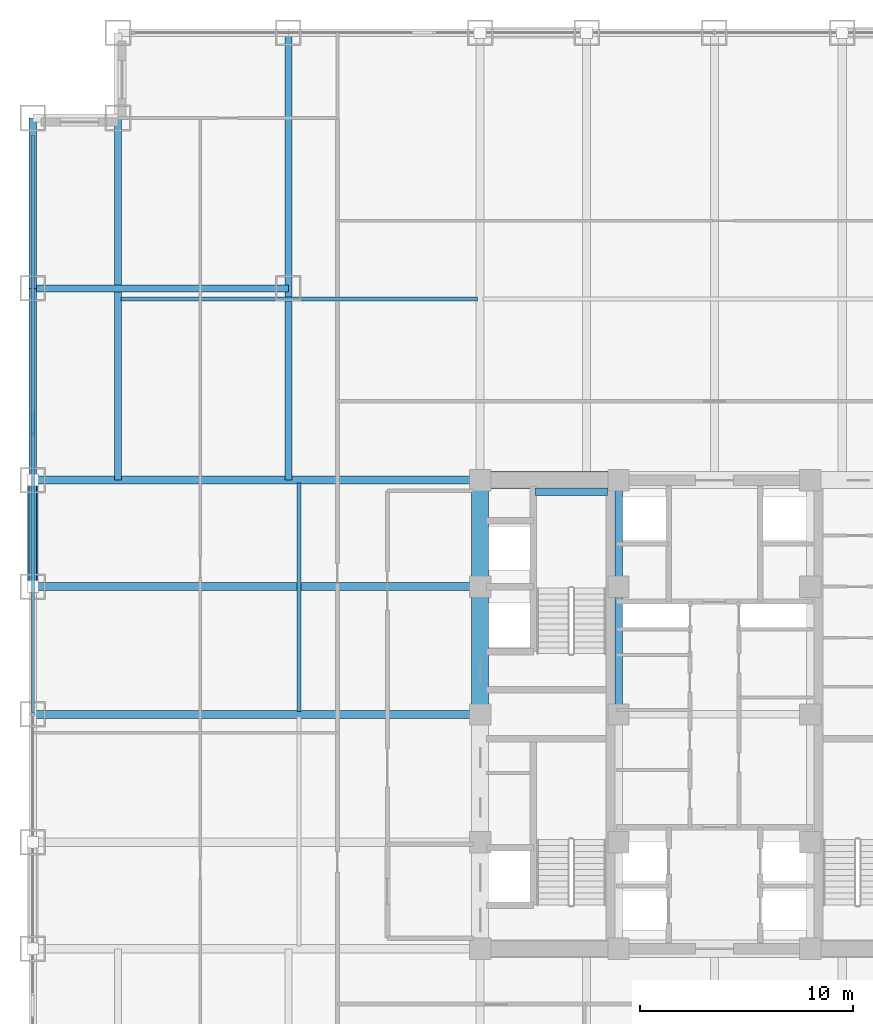
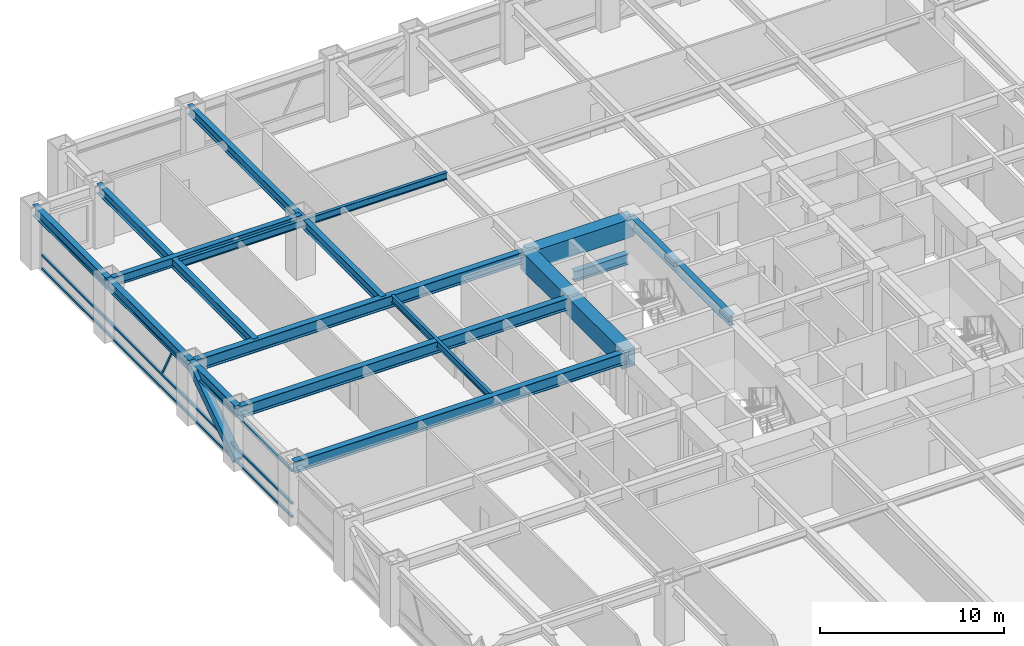
# One storey, part 9 of 27: 17 beams, 5 members, 1 element without a shape of its own.
"""IFC4 building model written with IfcOpenShell, lengths in metres."""

from ifc_helpers import new_model, si_unit, direction, frame, origin, origin_2d, place, context, subcontext, project, spatial, rectangle, hollow_rectangle, i_section, extrude, source, transform, mapped, material, material_profile, profile_set, type_object, element, aggregate, save


model = new_model("IFC4")

# Units and contexts
model_context = context("Model", 3, precision=1e-05, world=origin(), true_north=direction((0.0, 1.0)))
body_context = subcontext(model_context, "Body", "Model", "MODEL_VIEW")
ifc_project = project(units=[si_unit("LENGTHUNIT", "METRE"), si_unit("AREAUNIT", "SQUARE_METRE"), si_unit("VOLUMEUNIT", "CUBIC_METRE"), si_unit("PLANEANGLEUNIT", "RADIAN"), si_unit("MASSUNIT", "GRAM", prefix="KILO")], contexts=[model_context])

# Site, building, storey
site_placement = place(None, origin())
site = spatial("IfcSite", under=ifc_project, at=site_placement, CompositionType="ELEMENT")
building_placement = place(site_placement, origin())
building = spatial("IfcBuilding", under=site, at=building_placement, Name="Khorayat Bourse Tower", CompositionType="ELEMENT")
storey_placement = place(building_placement, frame((0.0, 0.0, 107.800048828125)))
storey = spatial("IfcBuildingStorey", under=building, at=storey_placement, Name="L24", CompositionType="ELEMENT", Elevation=107.800048828125)

# Beams
ifc_material_1 = material(Name="Concrete C72/90", Category="concrete")
ifc_material_profile_1 = material_profile(ifc_material_1, rectangle(XDim=0.800048828125, YDim=1.199951171875, at=origin_2d()), Name="RC 800x1200")
ifc_profile_set_1 = profile_set([ifc_material_profile_1], Name="Concrete C72/90")
beam_type_1 = type_object("IfcBeamType", Name="BM-COUP-1200", PredefinedType="BEAM", material=ifc_profile_set_1)
shared_shape_1 = source(origin(), body_context, "Body", "SweptSolid", [
    extrude(rectangle(XDim=0.800048828125, YDim=1.199951171875, at=origin_2d()), origin(), (0.0, 0.0, 1.0), 5.0),
])
beam_1_placement = place(storey_placement, frame((-11.0, 6.0, 3.239990234375), z_axis=(0.0, 1.0, 0.0), x_axis=(-1.0, 0.0, 0.0)))
element("IfcBeam", 1, at=beam_1_placement, inside=storey, type_object=beam_type_1, Name="L24 BM-COUP-1200 BM-L24-CRX-04", PredefinedType="BEAM", context=body_context, shape_type="MappedRepresentation", body=[
    mapped(shared_shape_1, transform((0.0, 0.0, 0.0), scale=1.0)),
])
shared_shape_2 = source(origin(), body_context, "Body", "SweptSolid", [
    extrude(rectangle(XDim=0.800048828125, YDim=1.199951171875, at=origin_2d()), origin(), (0.0, 0.0, 1.0), 6.0),
])
beam_2_placement = place(storey_placement, frame((-11.0, 0.0, 3.239990234375), z_axis=(0.0, 1.0, 0.0), x_axis=(-1.0, 0.0, 0.0)))
element("IfcBeam", 2, at=beam_2_placement, inside=storey, type_object=beam_type_1, Name="L24 BM-COUP-1200 BM-L24-CRX-03", PredefinedType="BEAM", context=body_context, shape_type="MappedRepresentation", body=[
    mapped(shared_shape_2, transform((0.0, 0.0, 0.0), scale=1.0)),
])
ifc_material_2 = material(Name="Steel ASTM A992 Grade 50", Category="steel")
ifc_material_profile_2 = material_profile(ifc_material_2, i_section(OverallWidth=0.35498046875, OverallDepth=0.695068359375, WebThickness=0.015380859375, FlangeThickness=0.02490234375, FilletRadius=0.01806640625, at=origin_2d()), Name="W690X217")
ifc_profile_set_2 = profile_set([ifc_material_profile_2], Name="Steel ASTM A992 Grade 50")
beam_type_2 = type_object("IfcBeamType", Name="BM-GIRD-690", PredefinedType="BEAM", material=ifc_profile_set_2)
shared_shape_3 = source(origin(), body_context, "Body", "SweptSolid", [
    extrude(i_section(OverallWidth=0.35498046875, OverallDepth=0.695068359375, WebThickness=0.015380859375, FlangeThickness=0.02490234375, FilletRadius=0.01806640625, at=origin_2d()), origin(), (0.0, 0.0, 1.0), 5.0),
])
beam_3_placement = place(storey_placement, frame((-4.5, 6.0, 3.492431640625), z_axis=(0.0, 1.0, 0.0), x_axis=(-1.0, 0.0, 0.0)))
element("IfcBeam", 3, at=beam_3_placement, inside=storey, type_object=beam_type_2, Name="L24 BM-GIRD-690 BM-L24-CRX-08", PredefinedType="BEAM", context=body_context, shape_type="MappedRepresentation", body=[
    mapped(shared_shape_3, transform((0.0, 0.0, 0.0), scale=1.0)),
])
shared_shape_4 = source(origin(), body_context, "Body", "SweptSolid", [
    extrude(i_section(OverallWidth=0.35498046875, OverallDepth=0.695068359375, WebThickness=0.015380859375, FlangeThickness=0.02490234375, FilletRadius=0.01806640625, at=origin_2d()), origin(), (0.0, 0.0, 1.0), 6.0),
])
beam_4_placement = place(storey_placement, frame((-4.5, 0.0, 3.492431640625), z_axis=(0.0, 1.0, 0.0), x_axis=(-1.0, 0.0, 0.0)))
element("IfcBeam", 4, at=beam_4_placement, inside=storey, type_object=beam_type_2, Name="L24 BM-GIRD-690 BM-L24-CRX-07", PredefinedType="BEAM", context=body_context, shape_type="MappedRepresentation", body=[
    mapped(shared_shape_4, transform((0.0, 0.0, 0.0), scale=1.0)),
])
shared_shape_5 = source(origin(), body_context, "Body", "SweptSolid", [
    extrude(rectangle(XDim=0.800048828125, YDim=1.199951171875, at=origin_2d()), origin(), (0.0, 0.0, 1.0), 6.5),
])
beam_5_placement = place(storey_placement, frame((-11.0, 11.0, 3.239990234375), z_axis=(1.0, 0.0, 0.0), x_axis=(0.0, 1.0, 0.0)))
element("IfcBeam", 5, at=beam_5_placement, inside=storey, type_object=beam_type_1, Name="L24 BM-COUP-1200 BM-L24-CRY-20", PredefinedType="BEAM", context=body_context, shape_type="MappedRepresentation", body=[
    mapped(shared_shape_5, transform((0.0, 0.0, 0.0), scale=1.0)),
])
shared_shape_6 = source(origin(), body_context, "Body", "SweptSolid", [
    extrude(i_section(OverallWidth=0.35498046875, OverallDepth=0.695068359375, WebThickness=0.015380859375, FlangeThickness=0.02490234375, FilletRadius=0.01806640625, at=origin_2d()), origin(), (0.0, 0.0, 1.0), 3.39990234375),
])
beam_6_placement = place(storey_placement, frame((-8.419921875, 10.449951171875, 1.50244140625), z_axis=(1.0, 0.0, 0.0), x_axis=(0.0, 1.0, 0.0)))
element("IfcBeam", 6, at=beam_6_placement, inside=storey, type_object=beam_type_2, Name="L24 BM-GIRD-690 BM-L24-ST2L", PredefinedType="BEAM", context=body_context, shape_type="MappedRepresentation", body=[
    mapped(shared_shape_6, transform((0.0, 0.0, 0.0), scale=1.0)),
])
ifc_material_profile_3 = material_profile(ifc_material_2, i_section(OverallWidth=0.35498046875, OverallDepth=0.695068359375, WebThickness=0.015380859375, FlangeThickness=0.02490234375, FilletRadius=0.01806640625, at=origin_2d()), Name="W690X217")
ifc_profile_set_3 = profile_set([ifc_material_profile_3], Name="Steel ASTM A992 Grade 50")
beam_type_3 = type_object("IfcBeamType", Name="BM-SPAN-690", PredefinedType="SPANDREL", material=ifc_profile_set_3)
shared_shape_7 = source(origin(), body_context, "Body", "SweptSolid", [
    extrude(i_section(OverallWidth=0.35498046875, OverallDepth=0.695068359375, WebThickness=0.015380859375, FlangeThickness=0.02490234375, FilletRadius=0.01806640625, at=origin_2d()), origin(), (0.0, 0.0, 1.0), 9.0),
])
beam_7_placement = place(storey_placement, frame((-32.0, 11.0, 3.492431640625), z_axis=(0.0, 1.0, 0.0), x_axis=(-1.0, 0.0, 0.0)))
element("IfcBeam", 7, at=beam_7_placement, inside=storey, type_object=beam_type_3, Name="L24 BM-SPAN-690 BM-L24-SPN-055", PredefinedType="SPANDREL", context=body_context, shape_type="MappedRepresentation", body=[
    mapped(shared_shape_7, transform((0.0, 0.0, 0.0), scale=1.0)),
])
shared_shape_8 = source(origin(), body_context, "Body", "SweptSolid", [
    extrude(i_section(OverallWidth=0.35498046875, OverallDepth=0.695068359375, WebThickness=0.015380859375, FlangeThickness=0.02490234375, FilletRadius=0.01806640625, at=origin_2d()), origin(), (0.0, 0.0, 1.0), 5.0),
])
beam_8_placement = place(storey_placement, frame((-32.0, 6.0, 3.492431640625), z_axis=(0.0, 1.0, 0.0), x_axis=(-1.0, 0.0, 0.0)))
element("IfcBeam", 8, at=beam_8_placement, inside=storey, type_object=beam_type_3, Name="L24 BM-SPAN-690 BM-L24-SPN-056", PredefinedType="SPANDREL", context=body_context, shape_type="MappedRepresentation", body=[
    mapped(shared_shape_8, transform((0.0, 0.0, 0.0), scale=1.0)),
])
ifc_material_profile_4 = material_profile(ifc_material_2, i_section(OverallWidth=0.324951171875, OverallDepth=0.615966796875, WebThickness=0.013916015625, FlangeThickness=0.021484375, FilletRadius=0.01611328125, at=origin_2d()), Name="W610X174")
ifc_profile_set_4 = profile_set([ifc_material_profile_4], Name="Steel ASTM A992 Grade 50")
beam_type_4 = type_object("IfcBeamType", Name="BM-GIRD-610", PredefinedType="BEAM", material=ifc_profile_set_4)
shared_shape_9 = source(origin(), body_context, "Body", "SweptSolid", [
    extrude(i_section(OverallWidth=0.324951171875, OverallDepth=0.615966796875, WebThickness=0.013916015625, FlangeThickness=0.021484375, FilletRadius=0.01611328125, at=origin_2d()), origin(), (0.0, 0.0, 1.0), 21.0),
])
beam_9_placement = place(storey_placement, frame((-20.0, 11.0, 3.531982421875), z_axis=(0.0, 1.0, 0.0), x_axis=(-1.0, 0.0, 0.0)))
element("IfcBeam", 9, at=beam_9_placement, inside=storey, type_object=beam_type_4, Name="L24 BM-GIRD-610 BM-L24-CNRY-085", PredefinedType="BEAM", context=body_context, shape_type="MappedRepresentation", body=[
    mapped(shared_shape_9, transform((0.0, 0.0, 0.0), scale=1.0)),
])
shared_shape_10 = source(origin(), body_context, "Body", "SweptSolid", [
    extrude(i_section(OverallWidth=0.324951171875, OverallDepth=0.615966796875, WebThickness=0.013916015625, FlangeThickness=0.021484375, FilletRadius=0.01611328125, at=origin_2d()), origin(), (0.0, 0.0, 1.0), 12.0),
])
beam_10_placement = place(storey_placement, frame((-32.0, 20.0, 3.531982421875), z_axis=(1.0, 0.0, 0.0), x_axis=(0.0, 1.0, 0.0)))
element("IfcBeam", 10, at=beam_10_placement, inside=storey, type_object=beam_type_4, Name="L24 BM-GIRD-610 BM-L24-CNRX-095", PredefinedType="BEAM", context=body_context, shape_type="MappedRepresentation", body=[
    mapped(shared_shape_10, transform((0.0, 0.0, 0.0), scale=1.0)),
])
ifc_material_profile_5 = material_profile(ifc_material_2, i_section(OverallWidth=0.194091796875, OverallDepth=0.468994140625, WebThickness=0.0126953125, FlangeThickness=0.0205078125, FilletRadius=0.012939453125, at=origin_2d()), Name="W460X106")
ifc_profile_set_5 = profile_set([ifc_material_profile_5], Name="Steel ASTM A992 Grade 50")
beam_type_5 = type_object("IfcBeamType", Name="BM-JOIST-460", PredefinedType="JOIST", material=ifc_profile_set_5)
shared_shape_11 = source(origin(), body_context, "Body", "SweptSolid", [
    extrude(i_section(OverallWidth=0.194091796875, OverallDepth=0.468994140625, WebThickness=0.0126953125, FlangeThickness=0.0205078125, FilletRadius=0.012939453125, at=origin_2d()), origin(), (0.0, 0.0, 1.0), 10.740234375),
])
beam_11_placement = place(storey_placement, frame((-19.5, 0.1298828125, 3.60546875), z_axis=(0.0, 1.0, 0.0), x_axis=(-1.0, 0.0, 0.0)))
element("IfcBeam", 11, at=beam_11_placement, inside=storey, type_object=beam_type_5, Name="L24 BM-JOIST-460 BM-L24-JSTY-103", PredefinedType="JOIST", context=body_context, shape_type="MappedRepresentation", body=[
    mapped(shared_shape_11, transform((0.0, 0.0, 0.0), scale=1.0)),
])
shared_shape_12 = source(origin(), body_context, "Body", "SweptSolid", [
    extrude(i_section(OverallWidth=0.35498046875, OverallDepth=0.695068359375, WebThickness=0.015380859375, FlangeThickness=0.02490234375, FilletRadius=0.01806640625, at=origin_2d()), origin(), (0.0, 0.0, 1.0), 8.0),
])
beam_12_placement = place(storey_placement, frame((-32.0, 20.0, 3.492431640625), z_axis=(0.0, 1.0, 0.0), x_axis=(-1.0, 0.0, 0.0)))
element("IfcBeam", 12, at=beam_12_placement, inside=storey, type_object=beam_type_3, Name="L24 BM-SPAN-690 BM-L24-SPN-054", PredefinedType="SPANDREL", context=body_context, shape_type="MappedRepresentation", body=[
    mapped(shared_shape_12, transform((0.0, 0.0, 0.0), scale=1.0)),
])
ifc_material_profile_6 = material_profile(ifc_material_2, i_section(OverallWidth=0.381103515625, OverallDepth=0.77294921875, WebThickness=0.0166015625, FlangeThickness=0.027587890625, FilletRadius=0.01806640625, at=origin_2d()), Name="W760X257")
ifc_profile_set_6 = profile_set([ifc_material_profile_6], Name="Steel ASTM A992 Grade 50")
beam_type_6 = type_object("IfcBeamType", Name="BM-GIRD-760", PredefinedType="BEAM", material=ifc_profile_set_6)
shared_shape_13 = source(origin(), body_context, "Body", "SweptSolid", [
    extrude(i_section(OverallWidth=0.381103515625, OverallDepth=0.77294921875, WebThickness=0.0166015625, FlangeThickness=0.027587890625, FilletRadius=0.01806640625, at=origin_2d()), origin(), (0.0, 0.0, 1.0), 21.0),
])
for number, where, z_axis, x_axis, name in (
    (13, (-32.0, 0.0, 3.453369140625), (1.0, 0.0, 0.0), (0.0, 1.0, 0.0), "L24 BM-GIRD-760 BM-L24-RADX-079"),
    (14, (-32.0, 6.0, 3.453369140625), (1.0, 0.0, 0.0), (0.0, 1.0, 0.0), "L24 BM-GIRD-760 BM-L24-RADX-081"),
    (15, (-32.0, 11.0, 3.453369140625), (1.0, 0.0, 0.0), (0.0, 1.0, 0.0), "L24 BM-GIRD-760 BM-L24-RADX-083"),
):
    element("IfcBeam", number, at=place(storey_placement, frame(where, z_axis=z_axis, x_axis=x_axis)), inside=storey, type_object=beam_type_6, Name=name, PredefinedType="BEAM", context=body_context, shape_type="MappedRepresentation", body=[
        mapped(shared_shape_13, transform((0.0, 0.0, 0.0), scale=1.0)),
    ])
shared_shape_14 = source(origin(), body_context, "Body", "SweptSolid", [
    extrude(i_section(OverallWidth=0.324951171875, OverallDepth=0.615966796875, WebThickness=0.013916015625, FlangeThickness=0.021484375, FilletRadius=0.01611328125, at=origin_2d()), origin(), (0.0, 0.0, 1.0), 17.0),
])
beam_13_placement = place(storey_placement, frame((-28.0, 11.0, 3.531982421875), z_axis=(0.0, 1.0, 0.0), x_axis=(-1.0, 0.0, 0.0)))
element("IfcBeam", 16, at=beam_13_placement, inside=storey, type_object=beam_type_4, Name="L24 BM-GIRD-610 BM-L24-CNRY-089", PredefinedType="BEAM", context=body_context, shape_type="MappedRepresentation", body=[
    mapped(shared_shape_14, transform((0.0, 0.0, 0.0), scale=1.0)),
])
shared_shape_15 = source(origin(), body_context, "Body", "SweptSolid", [
    extrude(i_section(OverallWidth=0.194091796875, OverallDepth=0.468994140625, WebThickness=0.0126953125, FlangeThickness=0.0205078125, FilletRadius=0.012939453125, at=origin_2d()), origin(), (0.0, 0.0, 1.0), 16.740234375),
])
beam_14_placement = place(storey_placement, frame((-27.8701171875, 19.5, 3.60546875), z_axis=(1.0, 0.0, 0.0), x_axis=(0.0, 1.0, 0.0)))
element("IfcBeam", 17, at=beam_14_placement, inside=storey, type_object=beam_type_5, Name="L24 BM-JOIST-460 BM-L24-JSTX-099", PredefinedType="JOIST", context=body_context, shape_type="MappedRepresentation", body=[
    mapped(shared_shape_15, transform((0.0, 0.0, 0.0), scale=1.0)),
])

# Member
ifc_material_3 = material(Name="Steel EN 10025-4 S460M", Category="steel")
ifc_material_profile_7 = material_profile(ifc_material_3, hollow_rectangle(XDim=0.5, YDim=0.5, WallThickness=0.028076171875, at=origin_2d()), Name="HSS 500x500x28")
ifc_profile_set_7 = profile_set([ifc_material_profile_7], Name="Steel EN 10025-4 S460M")
member_type_1 = type_object("IfcMemberType", Name="MBR-TUBE-500", PredefinedType="BRACE", material=ifc_profile_set_7)
shared_shape_16 = source(origin(), body_context, "Body", "SweptSolid", [
    extrude(hollow_rectangle(XDim=0.5, YDim=0.5, WallThickness=0.028076171875, at=origin_2d()), origin(), (0.0, 0.0, 1.0), 6.012939453125),
])
member_1_placement = place(storey_placement, frame((-32.0, 6.0, 0.25), z_axis=(0.0, 0.831550226979, 0.555449565677), x_axis=(-1.0, 0.0, 0.0)))
element("IfcMember", 18, at=member_1_placement, inside=storey, type_object=member_type_1, Name="L24 Perimeter Tube Brace 06", PredefinedType="BRACE", context=body_context, shape_type="MappedRepresentation", body=[
    mapped(shared_shape_16, transform((0.0, 0.0, 0.0), scale=1.0)),
])

# Curtain wall, members
ifc_material_4 = material(Name="Aluminium EN AW-6063 T6", Category="aluminium")
curtain_wall_type = type_object("IfcCurtainWallType", Name="CW-SYS-02", PredefinedType="NOTDEFINED", material=ifc_material_4)
curtain_wall_placement = place(storey_placement, origin())
curtain_wall = element("IfcCurtainWall", 19, at=curtain_wall_placement, inside=storey, type_object=curtain_wall_type, Name="L24 Curtain Wall CW-L24-W1", PredefinedType="NOTDEFINED")
ifc_material_profile_8 = material_profile(ifc_material_4, hollow_rectangle(XDim=0.139892578125, YDim=0.139892578125, WallThickness=0.006103515625, at=origin_2d()), Name="ALU 140x140x6")
ifc_profile_set_8 = profile_set([ifc_material_profile_8], Name="Aluminium EN AW-6063 T6")
member_type_2 = type_object("IfcMemberType", Name="CWT-HORZ-140", PredefinedType="USERDEFINED", material=ifc_profile_set_8)
shared_shape_17 = source(origin(), body_context, "Body", "SweptSolid", [
    extrude(hollow_rectangle(XDim=0.139892578125, YDim=0.139892578125, WallThickness=0.006103515625, at=origin_2d()), origin(), (0.0, 0.0, 1.0), 27.139892578125),
])
member_2_placement = place(storey_placement, frame((-32.0, 0.070068359375, 0.070068359375), z_axis=(0.0, 1.0, 0.0), x_axis=(-1.0, 0.0, 0.0)))
member_2 = element("IfcMember", 20, at=member_2_placement, type_object=member_type_2, Name="CW-L24-W1 Horizontal Transom 2-1", ObjectType="TRANSOM", PredefinedType="USERDEFINED", context=body_context, shape_type="MappedRepresentation", body=[
    mapped(shared_shape_17, transform((0.0, 0.0, 0.0), scale=1.0)),
])
member_3_placement = place(storey_placement, frame((-32.0, 0.070068359375, 0.949951171875), z_axis=(0.0, 1.0, 0.0), x_axis=(-1.0, 0.0, 0.0)))
member_3 = element("IfcMember", 21, at=member_3_placement, type_object=member_type_2, Name="CW-L24-W1 Horizontal Transom 2-2", ObjectType="TRANSOM", PredefinedType="USERDEFINED", context=body_context, shape_type="MappedRepresentation", body=[
    mapped(shared_shape_17, transform((0.0, 0.0, 0.0), scale=1.0)),
])
member_4_placement = place(storey_placement, frame((-32.0, 0.070068359375, 3.119873046875), z_axis=(0.0, 1.0, 0.0), x_axis=(-1.0, 0.0, 0.0)))
member_4 = element("IfcMember", 22, at=member_4_placement, type_object=member_type_2, Name="CW-L24-W1 Horizontal Transom 2-3", ObjectType="TRANSOM", PredefinedType="USERDEFINED", context=body_context, shape_type="MappedRepresentation", body=[
    mapped(shared_shape_17, transform((0.0, 0.0, 0.0), scale=1.0)),
])
ifc_material_profile_9 = material_profile(ifc_material_4, hollow_rectangle(XDim=0.1201171875, YDim=0.1201171875, WallThickness=0.0048828125, at=origin_2d()), Name="ALU 120x120x5")
ifc_profile_set_9 = profile_set([ifc_material_profile_9], Name="Aluminium EN AW-6063 T6")
member_type_3 = type_object("IfcMemberType", Name="CWM-DIAG-120", PredefinedType="MULLION", material=ifc_profile_set_9)
shared_shape_18 = source(origin(), body_context, "Body", "SweptSolid", [
    extrude(hollow_rectangle(XDim=0.1201171875, YDim=0.1201171875, WallThickness=0.0048828125, at=origin_2d()), origin(), (0.0, 0.0, 1.0), 2.11328125),
])
member_5_placement = place(storey_placement, frame((-32.0, 14.132080078125, 1.099853515625), z_axis=(0.0, -0.465694055905, 0.884945787207), x_axis=(1.0, 0.0, 0.0)))
member_5 = element("IfcMember", 23, at=member_5_placement, type_object=member_type_3, Name="CW-L24-W1 Faceted Diagonal Mullion 2", PredefinedType="MULLION", context=body_context, shape_type="MappedRepresentation", body=[
    mapped(shared_shape_18, transform((0.0, 0.0, 0.0), scale=1.0)),
])
aggregate(curtain_wall, [member_2, member_3, member_4, member_5])

save(model, "model.ifc")
